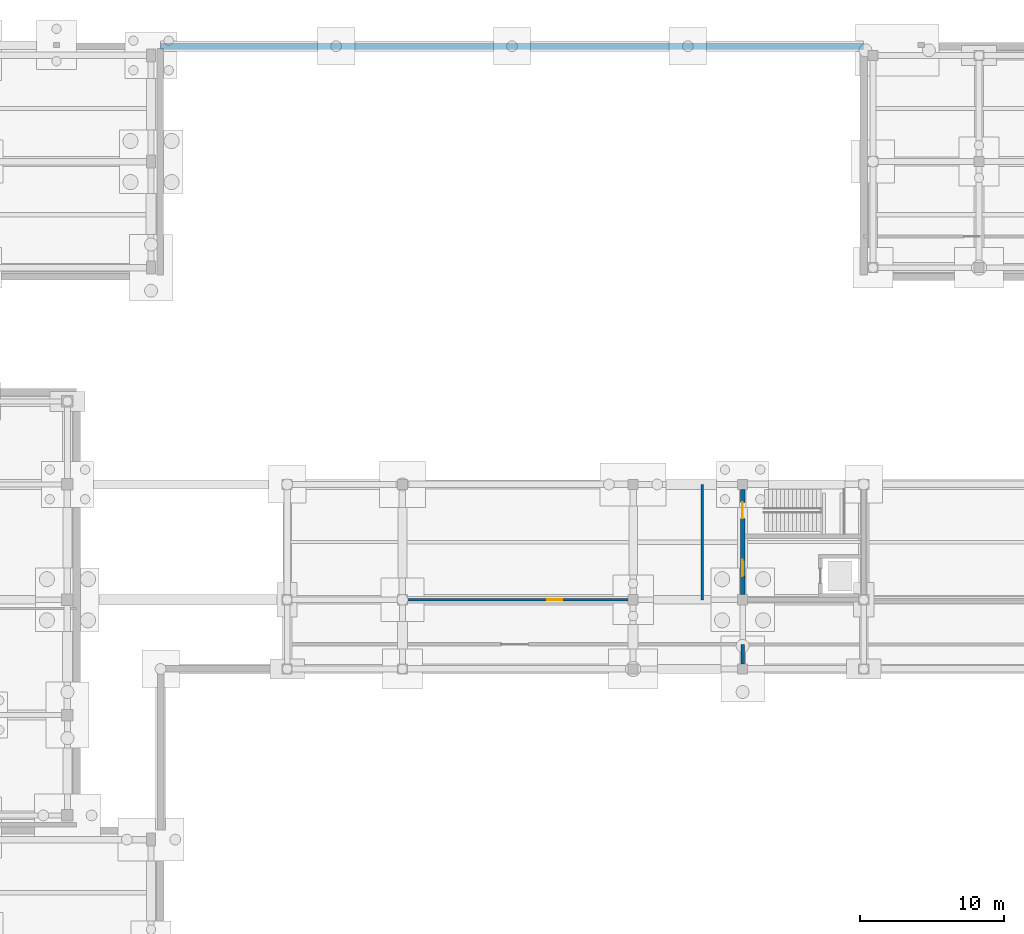
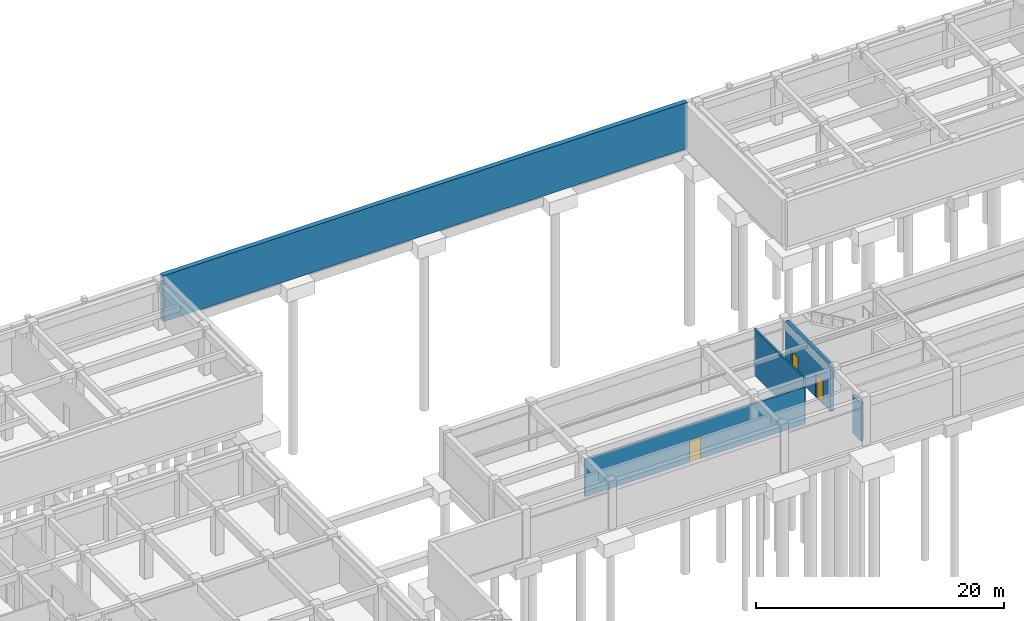
# One storey, part 23 of 35: 5 walls, 3 doors, 3 openings.
"""IFC4 building model written with IfcOpenShell, lengths in metres."""

from ifc_helpers import new_model, si_unit, direction, frame, frame_2d, origin, place, context, subcontext, project, spatial, rectangle, extrude, material, layer, layer_set, type_object, element, fill, save


model = new_model("IFC4")

# Units and contexts
model_context = context("Model", 3, precision=1e-05, world=origin(), true_north=direction((0.0, 1.0)))
body_context = subcontext(model_context, "Body", "Model", "MODEL_VIEW")
ifc_project = project(units=[si_unit("LENGTHUNIT", "METRE"), si_unit("AREAUNIT", "SQUARE_METRE"), si_unit("VOLUMEUNIT", "CUBIC_METRE"), si_unit("PLANEANGLEUNIT", "RADIAN"), si_unit("MASSUNIT", "GRAM", prefix="KILO")], contexts=[model_context])

# Site, building, storey
site_placement = place(None, origin())
site = spatial("IfcSite", under=ifc_project, at=site_placement, CompositionType="ELEMENT")
building_placement = place(site_placement, origin())
building = spatial("IfcBuilding", under=site, at=building_placement, Name="Cinchona Park Media Centre", CompositionType="ELEMENT")
storey_placement = place(building_placement, frame((0.0, 0.0, -4.800048828125)))
storey = spatial("IfcBuildingStorey", under=building, at=storey_placement, Name="B1", CompositionType="ELEMENT", Elevation=-4.800048828125)

# Wall
ifc_material_1 = material(Name="Acoustic Double-Stud Gypsum Partition", Category="gypsum")
ifc_layer_1 = layer(ifc_material_1, 0.239990234375)
ifc_layer_set_1 = layer_set([ifc_layer_1], Name="Acoustic Double-Stud Gypsum Partition")
wall_type_1 = type_object("IfcWallType", Name="WALL-W-AC240", PredefinedType="PARTITIONING", material=ifc_layer_set_1)
wall_1_placement = place(storey_placement, frame((86.39990234375, 76.5, 0.0), z_axis=(0.0, 0.0, 1.0), x_axis=(0.0, -1.0, 0.0)))
element("IfcWall", 1, at=wall_1_placement, inside=storey, type_object=wall_type_1, Name="Interior Wall W-AC240 B1", PredefinedType="PARTITIONING", context=body_context, shape_type="SweptSolid", body=[
    extrude(rectangle(XDim=1.347900390625, YDim=0.239990234375, at=frame_2d((0.673828125, 0.0))), origin(), (0.0, 0.0, 1.0), 3.77001953125),
])

# Wall, openings, doors
ifc_material_2 = material(Name="Concrete C40/50", Category="concrete")
ifc_layer_2 = layer(ifc_material_2, 0.300048828125)
ifc_layer_set_2 = layer_set([ifc_layer_2], Name="Concrete C40/50")
wall_type_2 = type_object("IfcWallType", Name="WALL-W-CR300", PredefinedType="SHEAR", material=ifc_layer_set_2)
wall_2_placement = place(storey_placement, frame((86.39990234375, 79.951904296875, 0.0), z_axis=(0.0, 0.0, 1.0), x_axis=(0.0, 1.0, 0.0)))
wall_2 = element("IfcWall", 2, at=wall_2_placement, inside=storey, type_object=wall_type_2, Name="Core Shear Wall W-CR300 B1", PredefinedType="SHEAR", context=body_context, shape_type="SweptSolid", body=[
    extrude(rectangle(XDim=7.296142578125, YDim=0.300048828125, at=frame_2d((3.64794921875, 0.0))), origin(), (0.0, 0.0, 1.0), 4.52001953125),
])
opening_1_placement = place(wall_2_placement, frame((5.298095703125, 0.0, 0.0)))
opening_1 = element("IfcOpeningElement", 3, at=opening_1_placement, cuts=wall_2, Name="Opening D036", PredefinedType="OPENING", context=body_context, shape_type="SweptSolid", body=[
    extrude(rectangle(XDim=1.10009765625, YDim=2.14990234375, at=frame_2d((0.550048828125, 1.074951171875))), frame((0.0, 0.159912109375, 0.0), z_axis=(0.0, -1.0, 0.0), x_axis=(1.0, 0.0, 0.0)), (0.0, 0.0, 1.0), 0.320068359375),
])
opening_2_placement = place(wall_2_placement, frame((1.27294921875, 0.0, 0.0)))
opening_2 = element("IfcOpeningElement", 4, at=opening_2_placement, cuts=wall_2, Name="Opening D037", PredefinedType="OPENING", context=body_context, shape_type="SweptSolid", body=[
    extrude(rectangle(XDim=1.14990234375, YDim=2.199951171875, at=frame_2d((0.574951171875, 1.10009765625))), frame((0.0, 0.159912109375, 0.0), z_axis=(0.0, -1.0, 0.0), x_axis=(1.0, 0.0, 0.0)), (0.0, 0.0, 1.0), 0.320068359375),
])
ifc_material_3 = material(Name="Insulated Fire-Rated Steel Door", Category="steel")
door_type_1 = type_object("IfcDoorType", Name="DOOR-DT-FF", OperationType="NOTDEFINED", PredefinedType="DOOR", material=ifc_material_3)
door_1_placement = place(opening_2_placement, origin())
door_1 = element("IfcDoor", 5, at=door_1_placement, inside=storey, type_object=door_type_1, Name="Interior Door D037", OperationType="SINGLE_SWING_LEFT", OverallHeight=2.199951171875, OverallWidth=1.14990234375, PredefinedType="DOOR", context=body_context, shape_type="SweptSolid", body=[
    extrude(rectangle(XDim=1.14990234375, YDim=2.199951171875, at=frame_2d((0.574951171875, 1.10009765625))), frame((0.0, 0.02490234375, 0.0), z_axis=(0.0, -1.0, 0.0), x_axis=(1.0, 0.0, 0.0)), (0.0, 0.0, 1.0), 0.050048828125),
])
fill(opening_2, door_1)
ifc_material_4 = material(Name="Insulated Fire-Rated Steel Door", Category="steel")
door_type_2 = type_object("IfcDoorType", Name="DOOR-DT-ST", OperationType="NOTDEFINED", PredefinedType="DOOR", material=ifc_material_4)
door_2_placement = place(opening_1_placement, origin())
door_2 = element("IfcDoor", 6, at=door_2_placement, inside=storey, type_object=door_type_2, Name="Interior Door D036", OperationType="SINGLE_SWING_RIGHT", OverallHeight=2.14990234375, OverallWidth=1.10009765625, PredefinedType="DOOR", context=body_context, shape_type="SweptSolid", body=[
    extrude(rectangle(XDim=1.10009765625, YDim=2.14990234375, at=frame_2d((0.550048828125, 1.074951171875))), frame((0.0, 0.02490234375, 0.0), z_axis=(0.0, -1.0, 0.0), x_axis=(1.0, 0.0, 0.0)), (0.0, 0.0, 1.0), 0.050048828125),
])
fill(opening_1, door_2)

# Wall
ifc_material_5 = material(Name="Fire-Rated Gypsum Stud Partition", Category="gypsum")
ifc_layer_3 = layer(ifc_material_5, 0.1650390625)
ifc_layer_set_3 = layer_set([ifc_layer_3], Name="Fire-Rated Gypsum Stud Partition")
wall_type_3 = type_object("IfcWallType", Name="WALL-W-PT165", PredefinedType="PARTITIONING", material=ifc_layer_set_3)
wall_3_placement = place(storey_placement, frame((83.60009765625, 79.60009765625, 0.0), z_axis=(0.0, 0.0, 1.0), x_axis=(0.0, 1.0, 0.0)))
element("IfcWall", 7, at=wall_3_placement, inside=storey, type_object=wall_type_3, Name="Interior Wall W-PT165 B1", PredefinedType="PARTITIONING", context=body_context, shape_type="SweptSolid", body=[
    extrude(rectangle(XDim=8.0, YDim=0.1650390625, at=frame_2d((4.0, 0.0))), origin(), (0.0, 0.0, 1.0), 4.52001953125),
])

# Wall, opening, door
ifc_material_6 = material(Name="Fire-Rated Gypsum Stud Partition", Category="gypsum")
ifc_layer_4 = layer(ifc_material_6, 0.18994140625)
ifc_layer_set_4 = layer_set([ifc_layer_4], Name="Fire-Rated Gypsum Stud Partition")
wall_type_4 = type_object("IfcWallType", Name="WALL-W-PT190", PredefinedType="PARTITIONING", material=ifc_layer_set_4)
wall_4_placement = place(storey_placement, frame((63.152099609375, 79.60009765625, 0.0), z_axis=(0.0, 0.0, 1.0), x_axis=(1.0, 0.0, 0.0)))
wall_4 = element("IfcWall", 8, at=wall_4_placement, inside=storey, type_object=wall_type_4, Name="Interior Wall W-PT190 B1", PredefinedType="PARTITIONING", context=body_context, shape_type="SweptSolid", body=[
    extrude(rectangle(XDim=20.447998046875, YDim=0.18994140625, at=frame_2d((10.22412109375, 0.0))), origin(), (0.0, 0.0, 1.0), 3.670166015625),
])
opening_3_placement = place(wall_4_placement, frame((9.698974609375, 0.0, 0.0)))
opening_3 = element("IfcOpeningElement", 9, at=opening_3_placement, cuts=wall_4, Name="Opening D162", PredefinedType="OPENING", context=body_context, shape_type="SweptSolid", body=[
    extrude(rectangle(XDim=1.050048828125, YDim=2.14990234375, at=frame_2d((0.52490234375, 1.074951171875))), frame((0.0, 0.10498046875, 0.0), z_axis=(0.0, -1.0, 0.0), x_axis=(1.0, 0.0, 0.0)), (0.0, 0.0, 1.0), 0.2099609375),
])
ifc_material_7 = material(Name="Solid-Core Timber Acoustic Door", Category="wood")
door_type_3 = type_object("IfcDoorType", Name="DOOR-DT06", OperationType="NOTDEFINED", PredefinedType="DOOR", material=ifc_material_7)
door_3_placement = place(opening_3_placement, origin())
door_3 = element("IfcDoor", 10, at=door_3_placement, inside=storey, type_object=door_type_3, Name="Interior Door D162", OperationType="SINGLE_SWING_RIGHT", OverallHeight=2.14990234375, OverallWidth=1.050048828125, PredefinedType="DOOR", context=body_context, shape_type="SweptSolid", body=[
    extrude(rectangle(XDim=1.050048828125, YDim=2.14990234375, at=frame_2d((0.52490234375, 1.074951171875))), frame((0.0, 0.02490234375, 0.0), z_axis=(0.0, -1.0, 0.0), x_axis=(1.0, 0.0, 0.0)), (0.0, 0.0, 1.0), 0.050048828125),
])
fill(opening_3, door_3)

# Wall
ifc_material_8 = material(Name="Concrete C40/50", Category="concrete")
ifc_layer_5 = layer(ifc_material_8, 0.449951171875)
ifc_layer_set_5 = layer_set([ifc_layer_5], Name="Concrete C40/50")
wall_type_5 = type_object("IfcWallType", Name="WALL-W-RT02", PredefinedType="USERDEFINED", material=ifc_layer_set_5)
wall_5_placement = place(storey_placement, frame((46.02001953125, 118.0, 0.0), z_axis=(0.0, 0.0, 1.0), x_axis=(1.0, 0.0, 0.0)))
element("IfcWall", 11, at=wall_5_placement, inside=storey, type_object=wall_type_5, Name="Basement Plinth Perimeter Retaining Wall W-RT02", ObjectType="RETAININGWALL", PredefinedType="USERDEFINED", context=body_context, shape_type="SweptSolid", body=[
    extrude(rectangle(XDim=48.760009765625, YDim=0.449951171875, at=frame_2d((24.3798828125, 0.0))), origin(), (0.0, 0.0, 1.0), 4.530029296875),
])

save(model, "model.ifc")
